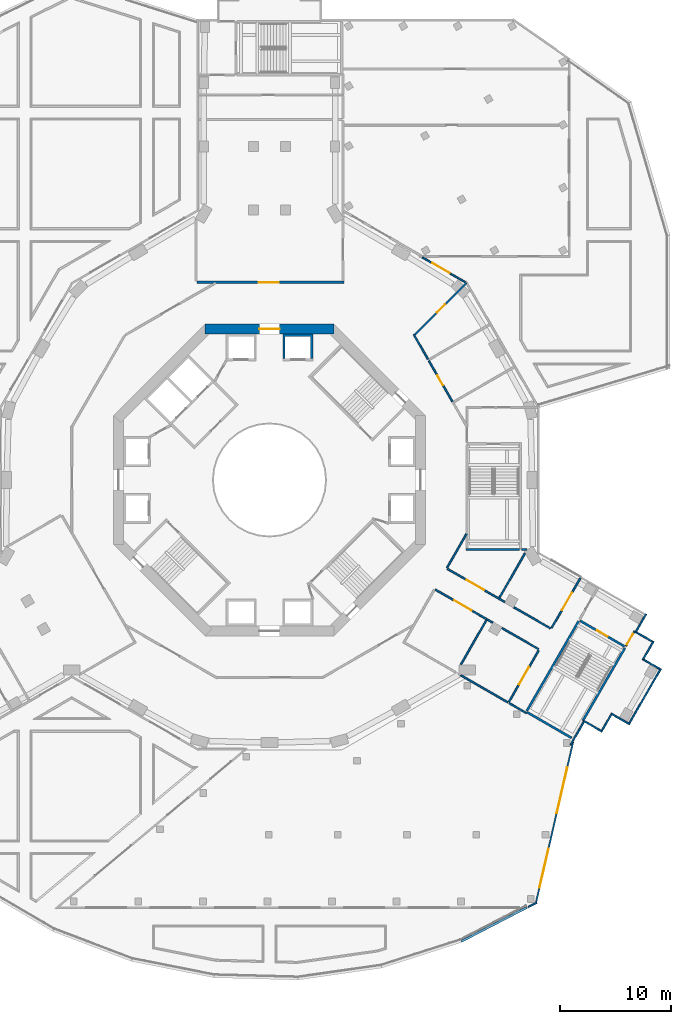
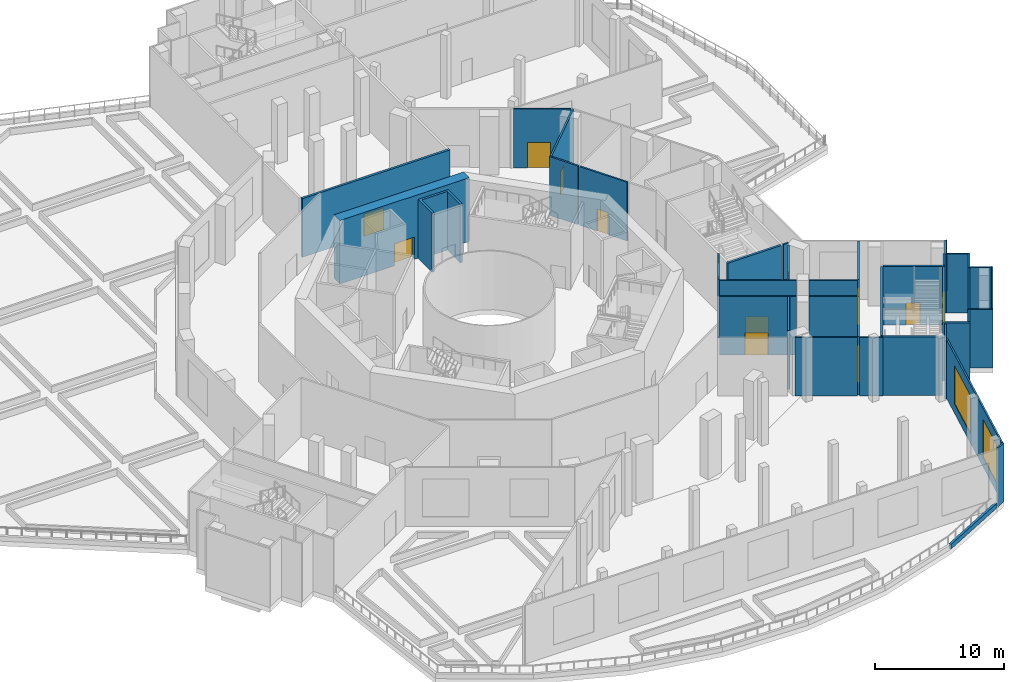
# One storey, part 7 of 29: 37 walls, 11 doors, 2 windows, 13 openings.
"""IFC4 building model written with IfcOpenShell, lengths in metres."""

from ifc_helpers import new_model, si_unit, direction, frame, frame_2d, origin, place, context, subcontext, project, spatial, polyline, rectangle, outline, extrude, material, layer, layer_set, type_object, element, fill, save


model = new_model("IFC4")

# Units and contexts
model_context = context("Model", 3, precision=1e-05, world=origin(), true_north=direction((0.0, 1.0)))
body_context = subcontext(model_context, "Body", "Model", "MODEL_VIEW")
ifc_project = project(units=[si_unit("LENGTHUNIT", "METRE"), si_unit("AREAUNIT", "SQUARE_METRE"), si_unit("VOLUMEUNIT", "CUBIC_METRE"), si_unit("PLANEANGLEUNIT", "RADIAN"), si_unit("MASSUNIT", "GRAM", prefix="KILO")], contexts=[model_context])

# Site, building, storey
site_placement = place(None, origin())
site = spatial("IfcSite", under=ifc_project, at=site_placement, CompositionType="ELEMENT")
building_placement = place(site_placement, origin())
building = spatial("IfcBuilding", under=site, at=building_placement, Name="Verdalira Terraces Hotel", CompositionType="ELEMENT")
storey_placement = place(building_placement, frame((0.0, 0.0, 8.0)))
storey = spatial("IfcBuildingStorey", under=building, at=storey_placement, Name="L01", CompositionType="ELEMENT", Elevation=8.0)

# Wall
ifc_material_1 = material(Name="Concrete C50", Category="concrete")
ifc_layer_1 = layer(ifc_material_1, 0.199951171875)
ifc_layer_set_1 = layer_set([ifc_layer_1], Name="Core RC wall 200 C50")
wall_type_1 = type_object("IfcWallType", Name="Core RC wall 200 C50", PredefinedType="SOLIDWALL", material=ifc_layer_set_1)
wall_1_placement = place(storey_placement, origin())
element("IfcWall", 1, at=wall_1_placement, inside=storey, type_object=wall_type_1, Name="L01 shaft wall N1", PredefinedType="SOLIDWALL", context=body_context, shape_type="SweptSolid", body=[
    extrude(outline(polyline([(3.899902, 13.100098), (3.899902, 10.899902), (3.699951, 10.899902), (3.699951, 12.899902), (1.399902, 12.899902), (1.399902, 10.899902), (1.199951, 10.899902), (1.199951, 13.100098), (3.899902, 13.100098)])), origin(), (0.0, 0.0, 1.0), 5.550049),
])

# Wall, opening, door
ifc_material_2 = material(Name="Concrete C70", Category="concrete")
ifc_layer_2 = layer(ifc_material_2, 0.89990234375)
ifc_layer_set_2 = layer_set([ifc_layer_2], Name="Core wall 900 C70")
wall_type_2 = type_object("IfcWallType", Name="Core wall 900 C70", PredefinedType="SHEAR", material=ifc_layer_set_2)
wall_2_placement = place(storey_placement, frame((5.799072, 13.550049, 0.0), z_axis=(0.0, 0.0, 1.0), x_axis=(-1.0, 0.0, 0.0)))
wall_2 = element("IfcWall", 2, at=wall_2_placement, inside=storey, type_object=wall_type_2, Name="Core wall CW-L01-3", PredefinedType="SHEAR", context=body_context, shape_type="SweptSolid", body=[
    extrude(rectangle(XDim=11.598145, YDim=0.899902, at=frame_2d((5.799072, 0.0))), origin(), (0.0, 0.0, 1.0), 6.0),
])
opening_1_placement = place(wall_2_placement, frame((4.898926, 0.0, 0.0)))
opening_1 = element("IfcOpeningElement", 3, at=opening_1_placement, cuts=wall_2, Name="Opening L01-813", PredefinedType="OPENING", context=body_context, shape_type="SweptSolid", body=[
    extrude(rectangle(XDim=1.800049, YDim=2.100098, at=frame_2d((0.899902, 1.050049))), frame((0.0, 0.459961, 0.0), z_axis=(0.0, -1.0, 0.0), x_axis=(1.0, 0.0, 0.0)), (0.0, 0.0, 1.0), 0.919922),
])
ifc_material_3 = material(Name="Steel fire door", Category="steel")
door_type_1 = type_object("IfcDoorType", Name="Core entry door pair 1800 x 2100", OperationType="NOTDEFINED", PredefinedType="DOOR", material=ifc_material_3)
door_1_placement = place(opening_1_placement, origin())
door_1 = element("IfcDoor", 4, at=door_1_placement, inside=storey, type_object=door_type_1, Name="Core entry door L01 2", OperationType="DOUBLE_DOOR_SINGLE_SWING", OverallHeight=2.10009765625, OverallWidth=1.800048828125, PredefinedType="DOOR", context=body_context, shape_type="SweptSolid", body=[
    extrude(rectangle(XDim=1.800049, YDim=2.100098, at=frame_2d((0.899902, 1.050049))), frame((0.0, 0.024902, 0.0), z_axis=(0.0, -1.0, 0.0), x_axis=(1.0, 0.0, 0.0)), (0.0, 0.0, 1.0), 0.050049),
])
fill(opening_1, door_1)

ifc_material_4 = material(Name="Concrete block masonry", Category="masonry")
ifc_layer_3 = layer(ifc_material_4, 0.199951171875)
ifc_layer_set_3 = layer_set([ifc_layer_3], Name="Fire-rated masonry wall 200 mm")
wall_type_3 = type_object("IfcWallType", Name="Fire-rated masonry wall 200 mm", PredefinedType="SOLIDWALL", material=ifc_layer_set_3)
wall_3_placement = place(storey_placement, frame((6.699951, 17.758301, 0.0), z_axis=(0.0, 0.0, 1.0), x_axis=(-1.0, 0.0, 0.0)))
wall_3 = element("IfcWall", 5, at=wall_3_placement, inside=storey, type_object=wall_type_3, Name="Plant and kitchen enclosure wall", PredefinedType="SOLIDWALL", context=body_context, shape_type="SweptSolid", body=[
    extrude(rectangle(XDim=13.199951, YDim=0.199951, at=frame_2d((6.600098, 0.0))), origin(), (0.0, 0.0, 1.0), 5.550049),
])
opening_2_placement = place(wall_3_placement, frame((5.849854, 0.0, 0.0)))
opening_2 = element("IfcOpeningElement", 6, at=opening_2_placement, cuts=wall_3, Name="Opening L01-D08", PredefinedType="OPENING", context=body_context, shape_type="SweptSolid", body=[
    extrude(rectangle(XDim=1.800049, YDim=2.100098, at=frame_2d((0.899902, 1.050049))), frame((0.0, 0.109863, 0.0), z_axis=(0.0, -1.0, 0.0), x_axis=(1.0, 0.0, 0.0)), (0.0, 0.0, 1.0), 0.219971),
])
ifc_material_5 = material(Name="Steel fire door", Category="steel")
door_type_2 = type_object("IfcDoorType", Name="Fire door pair 1800 x 2100", OperationType="DOUBLE_DOOR_SINGLE_SWING", PredefinedType="DOOR", material=ifc_material_5)
door_2_placement = place(opening_2_placement, origin())
door_2 = element("IfcDoor", 7, at=door_2_placement, inside=storey, type_object=door_type_2, Name="Ring corridor door", OperationType="DOUBLE_DOOR_SINGLE_SWING", OverallHeight=2.10009765625, OverallWidth=1.800048828125, PredefinedType="DOOR", context=body_context, shape_type="SweptSolid", body=[
    extrude(rectangle(XDim=1.800049, YDim=2.100098, at=frame_2d((0.899902, 1.050049))), frame((0.0, 0.024902, 0.0), z_axis=(0.0, -1.0, 0.0), x_axis=(1.0, 0.0, 0.0)), (0.0, 0.0, 1.0), 0.050049),
])
fill(opening_2, door_2)

# Wall
ifc_material_6 = material(Name="Gypsum board partition on steel stud", Category="steel")
ifc_layer_4 = layer(ifc_material_6, 0.14990234375)
ifc_layer_set_4 = layer_set([ifc_layer_4], Name="Fire-rated partition 150 mm")
wall_type_4 = type_object("IfcWallType", Name="Fire-rated partition 150 mm", PredefinedType="PARTITIONING", material=ifc_layer_set_4)
wall_4_placement = place(storey_placement, frame((12.962402, 13.064941, 0.0), z_axis=(0.0, 0.0, 1.0), x_axis=(0.499997778, -0.866026686, 0.0)))
element("IfcWall", 8, at=wall_4_placement, inside=storey, type_object=wall_type_4, Name="Partition", PredefinedType="PARTITIONING", context=body_context, shape_type="SweptSolid", body=[
    extrude(rectangle(XDim=2.558594, YDim=0.149902, at=frame_2d((1.279297, 0.0))), origin(), (0.0, 0.0, 1.0), 5.550049),
])

# Wall, opening, door
wall_5_placement = place(storey_placement, frame((14.31665, 10.719482, 0.0), z_axis=(0.0, 0.0, 1.0), x_axis=(0.500037366, -0.866003829, 0.0)))
wall_5 = element("IfcWall", 9, at=wall_5_placement, inside=storey, type_object=wall_type_4, Name="Partition", PredefinedType="PARTITIONING", context=body_context, shape_type="SweptSolid", body=[
    extrude(rectangle(XDim=4.250244, YDim=0.149902, at=frame_2d((2.125, 0.0))), origin(), (0.0, 0.0, 1.0), 5.550049),
])
opening_3_placement = place(wall_5_placement, frame((1.550049, 0.0, 0.0)))
opening_3 = element("IfcOpeningElement", 10, at=opening_3_placement, cuts=wall_5, Name="Opening L01-D20", PredefinedType="OPENING", context=body_context, shape_type="SweptSolid", body=[
    extrude(rectangle(XDim=1.0, YDim=2.100098, at=frame_2d((0.5, 1.050049))), frame((0.0, 0.084961, 0.0), z_axis=(0.0, -1.0, 0.0), x_axis=(1.0, 0.0, 0.0)), (0.0, 0.0, 1.0), 0.169922),
])
ifc_material_7 = material(Name="Steel fire door", Category="steel")
door_type_3 = type_object("IfcDoorType", Name="Fire door 1000 x 2100", OperationType="SINGLE_SWING_LEFT", PredefinedType="DOOR", material=ifc_material_7)
door_3_placement = place(opening_3_placement, origin())
door_3 = element("IfcDoor", 11, at=door_3_placement, inside=storey, type_object=door_type_3, Name="Men's WC door", OperationType="SINGLE_SWING_LEFT", OverallHeight=2.10009765625, OverallWidth=1.0, PredefinedType="DOOR", context=body_context, shape_type="SweptSolid", body=[
    extrude(rectangle(XDim=1.0, YDim=2.100098, at=frame_2d((0.5, 1.050049))), frame((0.0, 0.024902, 0.0), z_axis=(0.0, -1.0, 0.0), x_axis=(1.0, 0.0, 0.0)), (0.0, 0.0, 1.0), 0.050049),
])
fill(opening_3, door_3)

wall_6_placement = place(storey_placement, frame((20.055176, -12.820068, 0.0), z_axis=(0.0, 0.0, 1.0), x_axis=(-0.866038559, 0.499977214, 0.0)))
wall_6 = element("IfcWall", 12, at=wall_6_placement, inside=storey, type_object=wall_type_4, Name="Partition", PredefinedType="PARTITIONING", context=body_context, shape_type="SweptSolid", body=[
    extrude(rectangle(XDim=5.945068, YDim=0.149902, at=frame_2d((2.972656, 0.0))), origin(), (0.0, 0.0, 1.0), 5.550049),
])
opening_4_placement = place(wall_6_placement, frame((2.195068, 0.0, 0.0)))
opening_4 = element("IfcOpeningElement", 13, at=opening_4_placement, cuts=wall_6, Name="Opening L01-D21", PredefinedType="OPENING", context=body_context, shape_type="SweptSolid", body=[
    extrude(rectangle(XDim=1.800049, YDim=2.100098, at=frame_2d((0.899902, 1.050049))), frame((0.0, 0.084961, 0.0), z_axis=(0.0, -1.0, 0.0), x_axis=(1.0, 0.0, 0.0)), (0.0, 0.0, 1.0), 0.169922),
])
door_4_placement = place(opening_4_placement, origin())
door_4 = element("IfcDoor", 14, at=door_4_placement, inside=storey, type_object=door_type_2, Name="Private dining room 103 door", OperationType="DOUBLE_DOOR_SINGLE_SWING", OverallHeight=2.10009765625, OverallWidth=1.800048828125, PredefinedType="DOOR", context=body_context, shape_type="SweptSolid", body=[
    extrude(rectangle(XDim=1.800049, YDim=2.100098, at=frame_2d((0.899902, 1.050049))), frame((0.0, 0.024902, 0.0), z_axis=(0.0, -1.0, 0.0), x_axis=(1.0, 0.0, 0.0)), (0.0, 0.0, 1.0), 0.050049),
])
fill(opening_4, door_4)

# Walls
wall_7_placement = place(storey_placement, frame((20.886475, -13.300049, 0.0), z_axis=(0.0, 0.0, 1.0), x_axis=(0.866012734, -0.500021944, 0.0)))
element("IfcWall", 15, at=wall_7_placement, inside=storey, type_object=wall_type_4, Name="Partition", PredefinedType="PARTITIONING", context=body_context, shape_type="SweptSolid", body=[
    extrude(rectangle(XDim=3.786865, YDim=0.149902, at=frame_2d((1.893555, 0.0))), origin(), (0.0, 0.0, 1.0), 5.550049),
])
wall_8_placement = place(storey_placement, frame((17.189209, -16.585449, 0.0), z_axis=(0.0, 0.0, 1.0), x_axis=(0.50002748, 0.866009538, 0.0)))
element("IfcWall", 16, at=wall_8_placement, inside=storey, type_object=wall_type_4, Name="Partition", PredefinedType="PARTITIONING", context=body_context, shape_type="SweptSolid", body=[
    extrude(rectangle(XDim=4.618896, YDim=0.149902, at=frame_2d((2.30957, 0.0))), origin(), (0.0, 0.0, 1.0), 5.550049),
])
wall_9_placement = place(storey_placement, frame((17.189697, -17.54541, 0.0), z_axis=(0.0, 0.0, 1.0), x_axis=(0.866005103, -0.50003516, 0.0)))
element("IfcWall", 17, at=wall_9_placement, inside=storey, type_object=wall_type_4, Name="Partition", PredefinedType="PARTITIONING", context=body_context, shape_type="SweptSolid", body=[
    extrude(rectangle(XDim=4.865967, YDim=0.149902, at=frame_2d((2.433105, 0.0))), origin(), (0.0, 0.0, 1.0), 5.550049),
])
wall_10_placement = place(storey_placement, frame((17.708252, -4.844971, 0.0), z_axis=(0.0, 0.0, 1.0), x_axis=(-0.499993523, -0.866029143, 0.0)))
element("IfcWall", 18, at=wall_10_placement, inside=storey, type_object=wall_type_4, Name="Partition", PredefinedType="PARTITIONING", context=body_context, shape_type="SweptSolid", body=[
    extrude(rectangle(XDim=3.508301, YDim=0.149902, at=frame_2d((1.75415, 0.0))), origin(), (0.0, 0.0, 1.0), 5.550049),
])

# Wall, opening, door
wall_11_placement = place(storey_placement, frame((17.699951, 17.699951, 0.0), z_axis=(0.0, 0.0, 1.0), x_axis=(-0.707106781, -0.707106781, 0.0)))
wall_11 = element("IfcWall", 19, at=wall_11_placement, inside=storey, type_object=wall_type_4, Name="Partition", PredefinedType="PARTITIONING", context=body_context, shape_type="SweptSolid", body=[
    extrude(rectangle(XDim=6.571777, YDim=0.149902, at=frame_2d((3.285889, 0.0))), origin(), (0.0, 0.0, 1.0), 5.550049),
])
opening_5_placement = place(wall_11_placement, frame((2.75, 0.0, 0.0)))
opening_5 = element("IfcOpeningElement", 20, at=opening_5_placement, cuts=wall_11, Name="Opening L01-D23", PredefinedType="OPENING", context=body_context, shape_type="SweptSolid", body=[
    extrude(rectangle(XDim=1.0, YDim=2.100098, at=frame_2d((0.5, 1.050049))), frame((0.0, 0.084961, 0.0), z_axis=(0.0, -1.0, 0.0), x_axis=(1.0, 0.0, 0.0)), (0.0, 0.0, 1.0), 0.169922),
])
door_5_placement = place(opening_5_placement, origin())
door_5 = element("IfcDoor", 21, at=door_5_placement, inside=storey, type_object=door_type_3, Name="Accessible WC door", OperationType="SINGLE_SWING_RIGHT", OverallHeight=2.10009765625, OverallWidth=1.0, PredefinedType="DOOR", context=body_context, shape_type="SweptSolid", body=[
    extrude(rectangle(XDim=1.0, YDim=2.100098, at=frame_2d((0.5, 1.050049))), frame((0.0, 0.024902, 0.0), z_axis=(0.0, -1.0, 0.0), x_axis=(1.0, 0.0, 0.0)), (0.0, 0.0, 1.0), 0.050049),
])
fill(opening_5, door_5)

# Walls
wall_12_placement = place(storey_placement, frame((20.648682, -10.59375, 0.0), z_axis=(0.0, 0.0, 1.0), x_axis=(0.499987837, 0.866032426, 0.0)))
element("IfcWall", 22, at=wall_12_placement, inside=storey, type_object=wall_type_4, Name="Partition", PredefinedType="PARTITIONING", context=body_context, shape_type="SweptSolid", body=[
    extrude(rectangle(XDim=4.618652, YDim=0.149902, at=frame_2d((2.309326, 0.0))), origin(), (0.0, 0.0, 1.0), 5.550049),
])
wall_13_placement = place(storey_placement, frame((21.533203, -20.053223, 0.0), z_axis=(0.0, 0.0, 1.0), x_axis=(0.865989076, -0.500062917, 0.0)))
element("IfcWall", 23, at=wall_13_placement, inside=storey, type_object=wall_type_4, Name="Partition", PredefinedType="PARTITIONING", context=body_context, shape_type="SweptSolid", body=[
    extrude(rectangle(XDim=1.800049, YDim=0.149902, at=frame_2d((0.899902, 0.0))), origin(), (0.0, 0.0, 1.0), 5.550049),
])
wall_14_placement = place(storey_placement, frame((22.658203, -6.25, 0.0), z_axis=(0.0, 0.0, 1.0), x_axis=(1.0, 0.0, 0.0)))
element("IfcWall", 24, at=wall_14_placement, inside=storey, type_object=wall_type_4, Name="Partition", PredefinedType="PARTITIONING", context=body_context, shape_type="SweptSolid", body=[
    extrude(rectangle(XDim=0.473145, YDim=0.149902, at=frame_2d((0.236572, 0.0))), origin(), (0.0, 0.0, 1.0), 5.550049),
])

# Wall, opening, door
wall_15_placement = place(storey_placement, frame((21.505859, -19.950684, 0.0), z_axis=(0.0, 0.0, 1.0), x_axis=(0.500008168, 0.866020688, 0.0)))
wall_15 = element("IfcWall", 25, at=wall_15_placement, inside=storey, type_object=wall_type_4, Name="Partition", PredefinedType="PARTITIONING", context=body_context, shape_type="SweptSolid", body=[
    extrude(rectangle(XDim=5.375, YDim=0.149902, at=frame_2d((2.6875, 0.0))), origin(), (0.0, 0.0, 1.0), 5.550049),
])
opening_6_placement = place(wall_15_placement, frame((1.824951, 0.0, 0.0)))
opening_6 = element("IfcOpeningElement", 26, at=opening_6_placement, cuts=wall_15, Name="Opening L01-D25", PredefinedType="OPENING", context=body_context, shape_type="SweptSolid", body=[
    extrude(rectangle(XDim=1.800049, YDim=2.100098, at=frame_2d((0.899902, 1.050049))), frame((0.0, 0.084961, 0.0), z_axis=(0.0, -1.0, 0.0), x_axis=(1.0, 0.0, 0.0)), (0.0, 0.0, 1.0), 0.169922),
])
door_6_placement = place(opening_6_placement, origin())
door_6 = element("IfcDoor", 27, at=door_6_placement, inside=storey, type_object=door_type_2, Name="Private dining room 104 door", OperationType="DOUBLE_DOOR_SINGLE_SWING", OverallHeight=2.10009765625, OverallWidth=1.800048828125, PredefinedType="DOOR", context=body_context, shape_type="SweptSolid", body=[
    extrude(rectangle(XDim=1.800049, YDim=2.100098, at=frame_2d((0.899902, 1.050049))), frame((0.0, 0.024902, 0.0), z_axis=(0.0, -1.0, 0.0), x_axis=(1.0, 0.0, 0.0)), (0.0, 0.0, 1.0), 0.050049),
])
fill(opening_6, door_6)

wall_16_placement = place(storey_placement, frame((15.981689, -7.985596, 0.0), z_axis=(0.0, 0.0, 1.0), x_axis=(0.86601051, -0.500025795, 0.0)))
wall_16 = element("IfcWall", 28, at=wall_16_placement, inside=storey, type_object=wall_type_4, Name="Partition", PredefinedType="PARTITIONING", context=body_context, shape_type="SweptSolid", body=[
    extrude(rectangle(XDim=5.945068, YDim=0.149902, at=frame_2d((2.972656, 0.0))), origin(), (0.0, 0.0, 1.0), 5.550049),
])
opening_7_placement = place(wall_16_placement, frame((1.995117, 0.0, 0.0)))
opening_7 = element("IfcOpeningElement", 29, at=opening_7_placement, cuts=wall_16, Name="Opening L01-D28", PredefinedType="OPENING", context=body_context, shape_type="SweptSolid", body=[
    extrude(rectangle(XDim=1.800049, YDim=2.100098, at=frame_2d((0.899902, 1.050049))), frame((0.0, 0.084961, 0.0), z_axis=(0.0, -1.0, 0.0), x_axis=(1.0, 0.0, 0.0)), (0.0, 0.0, 1.0), 0.169922),
])
door_7_placement = place(opening_7_placement, origin())
door_7 = element("IfcDoor", 30, at=door_7_placement, inside=storey, type_object=door_type_2, Name="Private dining room 101 door", OperationType="DOUBLE_DOOR_SINGLE_SWING", OverallHeight=2.10009765625, OverallWidth=1.800048828125, PredefinedType="DOOR", context=body_context, shape_type="SweptSolid", body=[
    extrude(rectangle(XDim=1.800049, YDim=2.100098, at=frame_2d((0.899902, 1.050049))), frame((0.0, 0.024902, 0.0), z_axis=(0.0, -1.0, 0.0), x_axis=(1.0, 0.0, 0.0)), (0.0, 0.0, 1.0), 0.050049),
])
fill(opening_7, door_7)

# Wall
wall_17_placement = place(storey_placement, frame((25.240967, -13.331543, 0.0), z_axis=(0.0, 0.0, 1.0), x_axis=(-0.866040651, 0.499973591, 0.0)))
element("IfcWall", 31, at=wall_17_placement, inside=storey, type_object=wall_type_4, Name="Partition", PredefinedType="PARTITIONING", context=body_context, shape_type="SweptSolid", body=[
    extrude(rectangle(XDim=3.786865, YDim=0.149902, at=frame_2d((1.893555, 0.0))), origin(), (0.0, 0.0, 1.0), 5.550049),
])

# Wall, opening, door
wall_18_placement = place(storey_placement, frame((25.343262, -13.304199, 0.0), z_axis=(0.0, 0.0, 1.0), x_axis=(0.499979347, 0.866037328, 0.0)))
wall_18 = element("IfcWall", 32, at=wall_18_placement, inside=storey, type_object=wall_type_4, Name="Partition", PredefinedType="PARTITIONING", context=body_context, shape_type="SweptSolid", body=[
    extrude(rectangle(XDim=5.210205, YDim=0.149902, at=frame_2d((2.60498, 0.0))), origin(), (0.0, 0.0, 1.0), 5.550049),
])
opening_8_placement = place(wall_18_placement, frame((1.860107, 0.0, 0.0)))
opening_8 = element("IfcOpeningElement", 33, at=opening_8_placement, cuts=wall_18, Name="Opening L01-D30", PredefinedType="OPENING", context=body_context, shape_type="SweptSolid", body=[
    extrude(rectangle(XDim=1.800049, YDim=2.100098, at=frame_2d((0.899902, 1.050049))), frame((0.0, 0.084961, 0.0), z_axis=(0.0, -1.0, 0.0), x_axis=(1.0, 0.0, 0.0)), (0.0, 0.0, 1.0), 0.169922),
])
door_8_placement = place(opening_8_placement, origin())
door_8 = element("IfcDoor", 34, at=door_8_placement, inside=storey, type_object=door_type_2, Name="Private dining room 102 door", OperationType="DOUBLE_DOOR_SINGLE_SWING", OverallHeight=2.10009765625, OverallWidth=1.800048828125, PredefinedType="DOOR", context=body_context, shape_type="SweptSolid", body=[
    extrude(rectangle(XDim=1.800049, YDim=2.100098, at=frame_2d((0.899902, 1.050049))), frame((0.0, 0.024902, 0.0), z_axis=(0.0, -1.0, 0.0), x_axis=(1.0, 0.0, 0.0)), (0.0, 0.0, 1.0), 0.050049),
])
fill(opening_8, door_8)

wall_19_placement = place(storey_placement, frame((32.806641, -13.577148, 0.0), z_axis=(0.0, 0.0, 1.0), x_axis=(-0.499995951, -0.866027742, 0.0)))
wall_19 = element("IfcWall", 35, at=wall_19_placement, inside=storey, type_object=wall_type_4, Name="Partition", PredefinedType="PARTITIONING", context=body_context, shape_type="SweptSolid", body=[
    extrude(rectangle(XDim=1.54541, YDim=0.149902, at=frame_2d((0.772705, 0.0))), origin(), (0.0, 0.0, 1.0), 5.550049),
])
opening_9_placement = place(wall_19_placement, frame((0.29541, 0.0, 0.0)))
opening_9 = element("IfcOpeningElement", 36, at=opening_9_placement, cuts=wall_19, Name="Opening L01-D33", PredefinedType="OPENING", context=body_context, shape_type="SweptSolid", body=[
    extrude(rectangle(XDim=1.100098, YDim=2.100098, at=frame_2d((0.550049, 1.050049))), frame((0.0, 0.084961, 0.0), z_axis=(0.0, -1.0, 0.0), x_axis=(1.0, 0.0, 0.0)), (0.0, 0.0, 1.0), 0.169922),
])
ifc_material_8 = material(Name="Steel fire door", Category="steel")
door_type_4 = type_object("IfcDoorType", Name="Stair door 1100 x 2100", OperationType="SINGLE_SWING_LEFT", PredefinedType="DOOR", material=ifc_material_8)
door_9_placement = place(opening_9_placement, origin())
door_9 = element("IfcDoor", 37, at=door_9_placement, inside=storey, type_object=door_type_4, Name="Stair door Stair vestibule PS3", OperationType="SINGLE_SWING_RIGHT", OverallHeight=2.10009765625, OverallWidth=1.10009765625, PredefinedType="DOOR", context=body_context, shape_type="SweptSolid", body=[
    extrude(rectangle(XDim=1.100098, YDim=2.100098, at=frame_2d((0.550049, 1.050049))), frame((0.0, 0.024902, 0.0), z_axis=(0.0, -1.0, 0.0), x_axis=(1.0, 0.0, 0.0)), (0.0, 0.0, 1.0), 0.050049),
])
fill(opening_9, door_9)

# Walls
ifc_material_9 = material(Name="Concrete C50", Category="concrete")
ifc_layer_5 = layer(ifc_material_9, 0.199951171875)
ifc_layer_set_5 = layer_set([ifc_layer_5], Name="Stair enclosure wall 200 mm")
wall_type_5 = type_object("IfcWallType", Name="Stair enclosure wall 200 mm", PredefinedType="SOLIDWALL", material=ifc_layer_set_5)
wall_20_placement = place(storey_placement, frame((17.658203, -6.25, 0.0), z_axis=(0.0, 0.0, 1.0), x_axis=(1.0, 0.0, 0.0)))
element("IfcWall", 38, at=wall_20_placement, inside=storey, type_object=wall_type_5, Name="Stair enclosure wall", PredefinedType="SOLIDWALL", context=body_context, shape_type="SweptSolid", body=[
    extrude(rectangle(XDim=4.800293, YDim=0.199951, at=frame_2d((2.400146, 0.0))), origin(), (0.0, 0.0, 1.0), 5.550049),
])
wall_21_placement = place(storey_placement, frame((23.163818, -20.87915, 0.0), z_axis=(0.0, 0.0, 1.0), x_axis=(0.866030039, -0.499991972, 0.0)))
element("IfcWall", 39, at=wall_21_placement, inside=storey, type_object=wall_type_5, Name="Stair enclosure wall", PredefinedType="SOLIDWALL", context=body_context, shape_type="SweptSolid", body=[
    extrude(rectangle(XDim=4.600098, YDim=0.199951, at=frame_2d((2.300049, 0.0))), origin(), (0.0, 0.0, 1.0), 5.550049),
])
wall_22_placement = place(storey_placement, frame((28.161621, -21.622803, 0.0), z_axis=(0.0, 0.0, 1.0), x_axis=(0.499981072, 0.866036332, 0.0)))
element("IfcWall", 40, at=wall_22_placement, inside=storey, type_object=wall_type_5, Name="Stair enclosure wall", PredefinedType="SOLIDWALL", context=body_context, shape_type="SweptSolid", body=[
    extrude(rectangle(XDim=7.545166, YDim=0.199951, at=frame_2d((3.772461, 0.0))), origin(), (0.0, 0.0, 1.0), 5.550049),
])
wall_23_placement = place(storey_placement, frame((27.777344, -12.688477, 0.0), z_axis=(0.0, 0.0, 1.0), x_axis=(-0.500004225, -0.866022964, 0.0)))
element("IfcWall", 41, at=wall_23_placement, inside=storey, type_object=wall_type_5, Name="Stair enclosure wall", PredefinedType="SOLIDWALL", context=body_context, shape_type="SweptSolid", body=[
    extrude(rectangle(XDim=9.300293, YDim=0.199951, at=frame_2d((4.650146, 0.0))), origin(), (0.0, 0.0, 1.0), 5.550049),
])

# Wall, opening, door
wall_24_placement = place(storey_placement, frame((27.913818, -12.651855, 0.0), z_axis=(0.0, 0.0, 1.0), x_axis=(0.86601677, -0.500014953, 0.0)))
wall_24 = element("IfcWall", 42, at=wall_24_placement, inside=storey, type_object=wall_type_5, Name="Stair enclosure wall", PredefinedType="SOLIDWALL", context=body_context, shape_type="SweptSolid", body=[
    extrude(rectangle(XDim=4.599854, YDim=0.199951, at=frame_2d((2.299805, 0.0))), origin(), (0.0, 0.0, 1.0), 5.550049),
])
opening_10_placement = place(wall_24_placement, frame((1.75, 0.0, 0.0)))
opening_10 = element("IfcOpeningElement", 43, at=opening_10_placement, cuts=wall_24, Name="Opening L01-D32", PredefinedType="OPENING", context=body_context, shape_type="SweptSolid", body=[
    extrude(rectangle(XDim=1.100098, YDim=2.100098, at=frame_2d((0.550049, 1.050049))), frame((0.0, 0.109863, 0.0), z_axis=(0.0, -1.0, 0.0), x_axis=(1.0, 0.0, 0.0)), (0.0, 0.0, 1.0), 0.219971),
])
door_10_placement = place(opening_10_placement, origin())
door_10 = element("IfcDoor", 44, at=door_10_placement, inside=storey, type_object=door_type_4, Name="Stair door Stair lobby PS3", OperationType="SINGLE_SWING_LEFT", OverallHeight=2.10009765625, OverallWidth=1.10009765625, PredefinedType="DOOR", context=body_context, shape_type="SweptSolid", body=[
    extrude(rectangle(XDim=1.100098, YDim=2.100098, at=frame_2d((0.550049, 1.050049))), frame((0.0, 0.024902, 0.0), z_axis=(0.0, -1.0, 0.0), x_axis=(1.0, 0.0, 0.0)), (0.0, 0.0, 1.0), 0.050049),
])
fill(opening_10, door_10)

# Walls
ifc_material_10 = material(Name="Concrete C40", Category="concrete")
ifc_layer_6 = layer(ifc_material_10, 0.199951171875)
ifc_layer_set_6 = layer_set([ifc_layer_6], Name="Terrace upstand 200 x 450")
wall_type_6 = type_object("IfcWallType", Name="Terrace upstand 200 x 450", PredefinedType="SOLIDWALL", material=ifc_layer_set_6)
wall_25_placement = place(storey_placement, origin())
element("IfcWall", 45, at=wall_25_placement, inside=storey, type_object=wall_type_6, Name="Terrace upstand", PredefinedType="SOLIDWALL", context=body_context, shape_type="SweptSolid", body=[
    extrude(outline(polyline([(17.204834, -41.36377), (17.281982, -41.549072), (23.162598, -38.5), (23.070312, -38.32251), (17.204834, -41.36377)])), origin(), (0.0, 0.0, 1.0), 0.449951),
])
ifc_material_11 = material(Name="Concrete C40", Category="concrete")
ifc_layer_7 = layer(ifc_material_11, 0.139892578125)
ifc_layer_set_7 = layer_set([ifc_layer_7], Name="Terracotta clad concrete wall C40 140 mm")
wall_type_7 = type_object("IfcWallType", Name="Terracotta clad concrete wall C40 140 mm", PredefinedType="SOLIDWALL", material=ifc_layer_set_7)
wall_26_placement = place(storey_placement, frame((27.050537, -23.807129, 0.0), z_axis=(0.0, 0.0, 1.0), x_axis=(0.499969813, 0.866042832, 0.0)))
element("IfcWall", 46, at=wall_26_placement, inside=storey, type_object=wall_type_7, Name="Podium facade wall", PredefinedType="SOLIDWALL", context=body_context, shape_type="SweptSolid", body=[
    extrude(rectangle(XDim=2.392334, YDim=0.139893, at=frame_2d((1.196289, 0.0))), origin(), (0.0, 0.0, 1.0), 5.550049),
])
wall_27_placement = place(storey_placement, frame((28.221191, -21.639648, 0.0), z_axis=(0.0, 0.0, 1.0), x_axis=(0.866011627, -0.500023862, 0.0)))
element("IfcWall", 47, at=wall_27_placement, inside=storey, type_object=wall_type_7, Name="Podium facade wall", PredefinedType="SOLIDWALL", context=body_context, shape_type="SweptSolid", body=[
    extrude(rectangle(XDim=1.939941, YDim=0.139893, at=frame_2d((0.969971, 0.0))), origin(), (0.0, 0.0, 1.0), 5.550049),
])

# Wall, openings, windows
ifc_material_12 = material(Name="Terracotta cladding on steel stud backup", Category="masonry")
ifc_layer_8 = layer(ifc_material_12, 0.139892578125)
ifc_layer_set_8 = layer_set([ifc_layer_8], Name="Terracotta clad wall 140 mm")
wall_type_8 = type_object("IfcWallType", Name="Terracotta clad wall 140 mm", PredefinedType="SOLIDWALL", material=ifc_layer_set_8)
wall_28_placement = place(storey_placement, frame((23.959717, -37.928955, 0.0), z_axis=(0.0, 0.0, 1.0), x_axis=(0.22528195, 0.974293612, 0.0)))
wall_28 = element("IfcWall", 48, at=wall_28_placement, inside=storey, type_object=wall_type_8, Name="Podium facade wall", PredefinedType="SOLIDWALL", context=body_context, shape_type="SweptSolid", body=[
    extrude(rectangle(XDim=14.771973, YDim=0.139893, at=frame_2d((7.385986, 0.0))), origin(), (0.0, 0.0, 1.0), 5.550049),
])
opening_11_placement = place(wall_28_placement, frame((1.321777, 0.0, 0.899902)))
opening_11 = element("IfcOpeningElement", 49, at=opening_11_placement, cuts=wall_28, Name="Opening WP", PredefinedType="OPENING", context=body_context, shape_type="SweptSolid", body=[
    extrude(rectangle(XDim=3.600098, YDim=3.600098, at=frame_2d((1.800049, 1.800049))), frame((0.0, 0.079834, 0.0), z_axis=(0.0, -1.0, 0.0), x_axis=(1.0, 0.0, 0.0)), (0.0, 0.0, 1.0), 0.159912),
])
opening_12_placement = place(wall_28_placement, frame((8.21167, 0.0, 0.899902)))
opening_12 = element("IfcOpeningElement", 50, at=opening_12_placement, cuts=wall_28, Name="Opening WP", PredefinedType="OPENING", context=body_context, shape_type="SweptSolid", body=[
    extrude(rectangle(XDim=4.199951, YDim=3.600098, at=frame_2d((2.100098, 1.800049))), frame((0.0, 0.079834, 0.0), z_axis=(0.0, -1.0, 0.0), x_axis=(1.0, 0.0, 0.0)), (0.0, 0.0, 1.0), 0.159912),
])
ifc_material_13 = material(Name="Clear double glazing in aluminium frame", Category="aluminium")
window_type_1 = type_object("IfcWindowType", Name="Podium window 3600 x 3600", PartitioningType="SINGLE_PANEL", PredefinedType="WINDOW", material=ifc_material_13)
window_1_placement = place(opening_11_placement, origin())
window_1 = element("IfcWindow", 51, at=window_1_placement, inside=storey, type_object=window_type_1, Name="Podium window", OverallHeight=3.60009765625, OverallWidth=3.60009765625, PartitioningType="SINGLE_PANEL", PredefinedType="WINDOW", context=body_context, shape_type="SweptSolid", body=[
    extrude(rectangle(XDim=3.600098, YDim=3.600098, at=frame_2d((1.800049, 1.800049))), frame((0.0, 0.030029, 0.0), z_axis=(0.0, -1.0, 0.0), x_axis=(1.0, 0.0, 0.0)), (0.0, 0.0, 1.0), 0.060059),
])
fill(opening_11, window_1)
ifc_material_14 = material(Name="Clear double glazing in aluminium frame", Category="aluminium")
window_type_2 = type_object("IfcWindowType", Name="Podium window 4200 x 3600", PartitioningType="SINGLE_PANEL", PredefinedType="WINDOW", material=ifc_material_14)
window_2_placement = place(opening_12_placement, origin())
window_2 = element("IfcWindow", 52, at=window_2_placement, inside=storey, type_object=window_type_2, Name="Podium window", OverallHeight=3.60009765625, OverallWidth=4.199951171875, PartitioningType="SINGLE_PANEL", PredefinedType="WINDOW", context=body_context, shape_type="SweptSolid", body=[
    extrude(rectangle(XDim=4.199951, YDim=3.600098, at=frame_2d((2.100098, 1.800049))), frame((0.0, 0.030029, 0.0), z_axis=(0.0, -1.0, 0.0), x_axis=(1.0, 0.0, 0.0)), (0.0, 0.0, 1.0), 0.060059),
])
fill(opening_12, window_2)

# Walls
wall_29_placement = place(storey_placement, frame((29.875488, -22.51416, 0.0), z_axis=(0.0, 0.0, 1.0), x_axis=(0.499998264, 0.866026406, 0.0)))
element("IfcWall", 53, at=wall_29_placement, inside=storey, type_object=wall_type_8, Name="Podium facade wall", PredefinedType="SOLIDWALL", context=body_context, shape_type="SweptSolid", body=[
    extrude(rectangle(XDim=1.660156, YDim=0.139893, at=frame_2d((0.830078, 0.0))), origin(), (0.0, 0.0, 1.0), 5.550049),
])
wall_30_placement = place(storey_placement, frame((30.679932, -20.980957, 0.0), z_axis=(0.0, 0.0, 1.0), x_axis=(0.866043088, -0.499969368, 0.0)))
element("IfcWall", 54, at=wall_30_placement, inside=storey, type_object=wall_type_8, Name="Podium facade wall", PredefinedType="SOLIDWALL", context=body_context, shape_type="SweptSolid", body=[
    extrude(rectangle(XDim=1.939941, YDim=0.139893, at=frame_2d((0.969971, 0.0))), origin(), (0.0, 0.0, 1.0), 5.550049),
])
wall_31_placement = place(storey_placement, frame((32.334473, -21.855225, 0.0), z_axis=(0.0, 0.0, 1.0), x_axis=(0.499985074, 0.866034021, 0.0)))
element("IfcWall", 55, at=wall_31_placement, inside=storey, type_object=wall_type_8, Name="Podium facade wall", PredefinedType="SOLIDWALL", context=body_context, shape_type="SweptSolid", body=[
    extrude(rectangle(XDim=5.659912, YDim=0.139893, at=frame_2d((2.830078, 0.0))), origin(), (0.0, 0.0, 1.0), 5.550049),
])
wall_32_placement = place(storey_placement, frame((35.068604, -16.979004, 0.0), z_axis=(0.0, 0.0, 1.0), x_axis=(-0.866053324, 0.499951638, 0.0)))
element("IfcWall", 56, at=wall_32_placement, inside=storey, type_object=wall_type_8, Name="Podium facade wall", PredefinedType="SOLIDWALL", context=body_context, shape_type="SweptSolid", body=[
    extrude(rectangle(XDim=1.659912, YDim=0.139893, at=frame_2d((0.830078, 0.0))), origin(), (0.0, 0.0, 1.0), 5.550049),
])
wall_33_placement = place(storey_placement, frame((33.5354, -16.174805, 0.0), z_axis=(0.0, 0.0, 1.0), x_axis=(0.500063744, 0.865988598, 0.0)))
element("IfcWall", 57, at=wall_33_placement, inside=storey, type_object=wall_type_8, Name="Podium facade wall", PredefinedType="SOLIDWALL", context=body_context, shape_type="SweptSolid", body=[
    extrude(rectangle(XDim=1.940186, YDim=0.139893, at=frame_2d((0.970215, 0.0))), origin(), (0.0, 0.0, 1.0), 5.550049),
])
wall_34_placement = place(storey_placement, frame((34.409912, -14.520264, 0.0), z_axis=(0.0, 0.0, 1.0), x_axis=(-0.865989634, 0.500061949, 0.0)))
element("IfcWall", 58, at=wall_34_placement, inside=storey, type_object=wall_type_8, Name="Podium facade wall", PredefinedType="SOLIDWALL", context=body_context, shape_type="SweptSolid", body=[
    extrude(rectangle(XDim=1.659912, YDim=0.139893, at=frame_2d((0.830078, 0.0))), origin(), (0.0, 0.0, 1.0), 5.550049),
])
wall_35_placement = place(storey_placement, frame((32.876709, -13.71582, 0.0), z_axis=(0.0, 0.0, 1.0), x_axis=(0.500023862, 0.866011627, 0.0)))
element("IfcWall", 59, at=wall_35_placement, inside=storey, type_object=wall_type_8, Name="Podium facade wall", PredefinedType="SOLIDWALL", context=body_context, shape_type="SweptSolid", body=[
    extrude(rectangle(XDim=1.939941, YDim=0.139893, at=frame_2d((0.969971, 0.0))), origin(), (0.0, 0.0, 1.0), 5.550049),
])

# Wall, opening, door
wall_36_placement = place(storey_placement, frame((17.585693, 17.7771, 0.0), z_axis=(0.0, 0.0, 1.0), x_axis=(-0.866020975, 0.500007671, 0.0)))
wall_36 = element("IfcWall", 60, at=wall_36_placement, inside=storey, type_object=wall_type_8, Name="Podium facade wall", PredefinedType="SOLIDWALL", context=body_context, shape_type="SweptSolid", body=[
    extrude(rectangle(XDim=4.445801, YDim=0.139893, at=frame_2d((2.2229, 0.0))), origin(), (0.0, 0.0, 1.0), 5.550049),
])
opening_13_placement = place(wall_36_placement, frame((1.592773, 0.0, 0.0)))
opening_13 = element("IfcOpeningElement", 61, at=opening_13_placement, cuts=wall_36, Name="Opening L01-T01", PredefinedType="OPENING", context=body_context, shape_type="SweptSolid", body=[
    extrude(rectangle(XDim=1.800049, YDim=2.399902, at=frame_2d((0.899902, 1.199951))), frame((0.0, 0.079834, 0.0), z_axis=(0.0, -1.0, 0.0), x_axis=(1.0, 0.0, 0.0)), (0.0, 0.0, 1.0), 0.159912),
])
ifc_material_15 = material(Name="Glazed aluminium door", Category="aluminium")
door_type_5 = type_object("IfcDoorType", Name="Terrace door pair 1800 x 2400", OperationType="DOUBLE_DOOR_SINGLE_SWING", PredefinedType="DOOR", material=ifc_material_15)
door_11_placement = place(opening_13_placement, origin())
door_11 = element("IfcDoor", 62, at=door_11_placement, inside=storey, type_object=door_type_5, Name="Terrace door", OperationType="DOUBLE_DOOR_SINGLE_SWING", OverallHeight=2.39990234375, OverallWidth=1.800048828125, PredefinedType="DOOR", context=body_context, shape_type="SweptSolid", body=[
    extrude(rectangle(XDim=1.800049, YDim=2.399902, at=frame_2d((0.899902, 1.199951))), frame((0.0, 0.024902, 0.0), z_axis=(0.0, -1.0, 0.0), x_axis=(1.0, 0.0, 0.0)), (0.0, 0.0, 1.0), 0.050049),
])
fill(opening_13, door_11)

# Wall
wall_37_placement = place(storey_placement, frame((23.280518, -38.360107, 0.0), z_axis=(0.0, 0.0, 1.0), x_axis=(0.887652597, 0.460513699, 0.0)))
element("IfcWall", 63, at=wall_37_placement, inside=storey, type_object=wall_type_8, Name="Podium facade wall", PredefinedType="SOLIDWALL", context=body_context, shape_type="SweptSolid", body=[
    extrude(rectangle(XDim=0.833984, YDim=0.139893, at=frame_2d((0.416992, 0.0))), origin(), (0.0, 0.0, 1.0), 5.550049),
])

save(model, "model.ifc")
